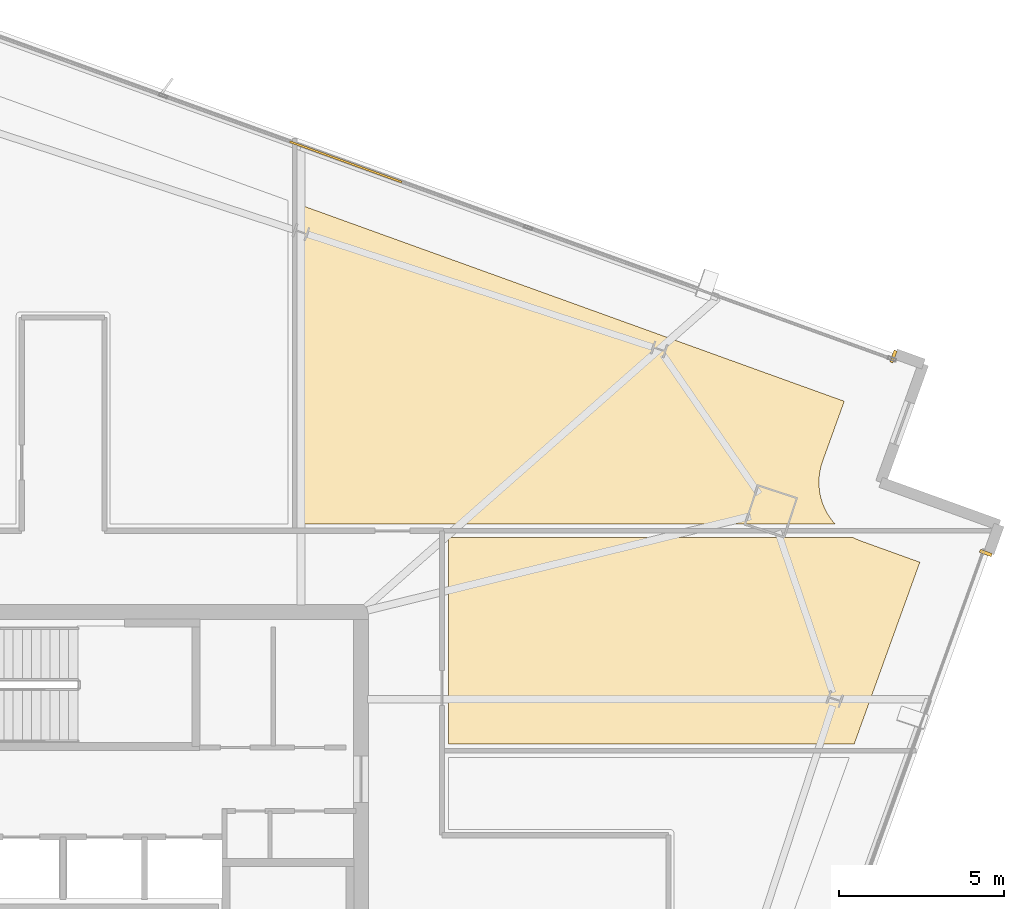
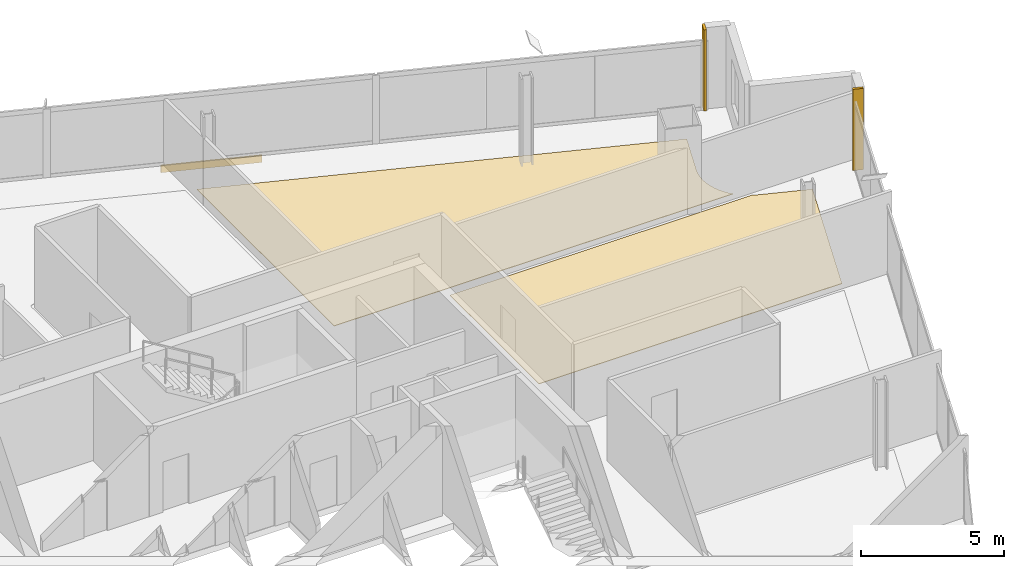
# One storey, part 27 of 27: 5 coverings.
"""IFC4 building model written with IfcOpenShell, lengths in metres."""

from ifc_helpers import new_model, si_unit, direction, frame, origin, origin_2d, place, context, subcontext, project, spatial, polyline, rectangle, outline, extrude, source, transform, mapped, material, layer, layer_set, type_object, element, save


model = new_model("IFC4")

# Units and contexts
model_context = context("Model", 3, precision=1e-05, world=origin(), true_north=direction((0.0, 1.0)))
body_context = subcontext(model_context, "Body", "Model", "MODEL_VIEW")
ifc_project = project(units=[si_unit("LENGTHUNIT", "METRE"), si_unit("AREAUNIT", "SQUARE_METRE"), si_unit("VOLUMEUNIT", "CUBIC_METRE"), si_unit("PLANEANGLEUNIT", "RADIAN"), si_unit("MASSUNIT", "GRAM", prefix="KILO")], contexts=[model_context])

# Site, building, storey
site_placement = place(None, origin())
site = spatial("IfcSite", under=ifc_project, at=site_placement, CompositionType="ELEMENT")
building_placement = place(site_placement, origin())
building = spatial("IfcBuilding", under=site, at=building_placement, Name="Haldenkirk Collegiate Tower", CompositionType="ELEMENT")
storey_placement = place(building_placement, frame((0.0, 0.0, 263.699951171875)))
storey = spatial("IfcBuildingStorey", under=building, at=storey_placement, Name="L66", CompositionType="ELEMENT", Elevation=263.699951171875)

# Coverings
ifc_material_1 = material(Name="Engineered collegiate oak acoustic flooring", Category="wood")
ifc_layer_1 = layer(ifc_material_1, 0.02197265625)
ifc_layer_set_1 = layer_set([ifc_layer_1], Name="Engineered collegiate oak acoustic flooring")
covering_type_1 = type_object("IfcCoveringType", Name="COV-FLOOR-TIMBER", PredefinedType="FLOORING", material=ifc_layer_set_1)
covering_1_placement = place(storey_placement, origin())
element("IfcCovering", 1, at=covering_1_placement, inside=storey, type_object=covering_type_1, Name="L66 academic room finish 07", PredefinedType="FLOORING", context=body_context, shape_type="SweptSolid", body=[
    extrude(outline(polyline([(59.339111328125, 36.64990234375), (43.199951171875, 36.64990234375), (43.199951171875, 46.290771484375), (59.611083984375, 40.3662109375), (58.955810546875, 38.55078125), (58.953857421875, 38.545166015625), (58.903564453125, 38.381103515625), (58.900634765625, 38.36962890625), (58.86669921875, 38.201416015625), (58.864990234375, 38.189697265625), (58.84765625, 38.018798828125), (58.846923828125, 38.007080078125), (58.846435546875, 37.835205078125), (58.846923828125, 37.823486328125), (58.86328125, 37.652587890625), (58.864990234375, 37.640869140625), (58.898193359375, 37.472412109375), (58.90087890625, 37.461181640625), (58.9501953125, 37.296630859375), (58.9541015625, 37.285400390625), (59.01953125, 37.126708984375), (59.0244140625, 37.115966796875), (59.10498046875, 36.96435546875), (59.111083984375, 36.9541015625), (59.2060546875, 36.81103515625), (59.212890625, 36.801513671875), (59.321533203125, 36.66845703125), (59.32958984375, 36.65966796875), (59.339111328125, 36.64990234375)])), origin(), (0.0, 0.0, 1.0), 0.02197265625),
])
covering_2_placement = place(storey_placement, origin())
element("IfcCovering", 2, at=covering_2_placement, inside=storey, type_object=covering_type_1, Name="L66 academic room finish 11", PredefinedType="FLOORING", context=body_context, shape_type="SweptSolid", body=[
    extrude(outline(polyline([(59.905029296875, 36.23046875), (59.915771484375, 36.22509765625), (60.07421875, 36.1591796875), (60.07958984375, 36.156982421875), (61.89501953125, 35.501708984375), (59.90869140625, 30.0), (47.64990234375, 30.0), (47.64990234375, 36.25), (59.868408203125, 36.25), (59.905029296875, 36.23046875)])), origin(), (0.0, 0.0, 1.0), 0.02197265625),
])
ifc_material_2 = material(Name="Anodised architectural bronze aluminium", Category="aluminium")
ifc_layer_2 = layer(ifc_material_2, 0.06005859375)
ifc_layer_set_2 = layer_set([ifc_layer_2], Name="Anodised architectural bronze aluminium")
covering_type_2 = type_object("IfcCoveringType", Name="COV-CLAD-BRONZE-60", PredefinedType="CLADDING", material=ifc_layer_set_2)
shared_shape_1 = source(origin(), body_context, "Body", "SweptSolid", [
    extrude(rectangle(XDim=3.60009765625, YDim=0.06005859375, at=origin_2d()), origin(), (0.0, 0.0, 1.0), 0.300048828125),
])
covering_3_placement = place(storey_placement, frame((44.54296875, 47.602783203125, -0.2998046875), z_axis=(0.0, 0.0, 1.0), x_axis=(0.94058480613, -0.339558864524, 0.0)))
element("IfcCovering", 3, at=covering_3_placement, inside=storey, type_object=covering_type_2, Name="L66 architectural bronze spandrel cladding E", PredefinedType="CLADDING", context=body_context, shape_type="MappedRepresentation", body=[
    mapped(shared_shape_1, transform((0.0, 0.0, 0.0), x_axis=(1.0, 0.0, 0.0), y_axis=(0.0, 1.0, 0.0), z_axis=(0.0, 0.0, 1.0), scale=1.0)),
])
shared_shape_2 = source(origin(), body_context, "Body", "SweptSolid", [
    extrude(rectangle(XDim=0.10009765625, YDim=0.3798828125, at=origin_2d()), origin(), (0.0, 0.0, 1.0), 3.47998046875),
])
for number, where, z_axis, x_axis, name in (
    (4, (63.888427734375, 35.781494140625, 0.0), (0.0, 0.0, 1.0), (-0.339558864524, -0.94058480613, 0.0), "L66 recessed curtain-wall bronze jamb closure SJL"),
    (5, (61.099609375, 41.72119140625, 0.0), (0.0, 0.0, 1.0), (0.94058480613, -0.339558864524, 0.0), "L66 recessed curtain-wall bronze jamb closure EJR"),
):
    element("IfcCovering", number, at=place(storey_placement, frame(where, z_axis=z_axis, x_axis=x_axis)), inside=storey, type_object=covering_type_2, Name=name, PredefinedType="CLADDING", context=body_context, shape_type="MappedRepresentation", body=[
        mapped(shared_shape_2, transform((0.0, 0.0, 0.0), x_axis=(1.0, 0.0, 0.0), y_axis=(0.0, 1.0, 0.0), z_axis=(0.0, 0.0, 1.0), scale=1.0)),
    ])

save(model, "model.ifc")
